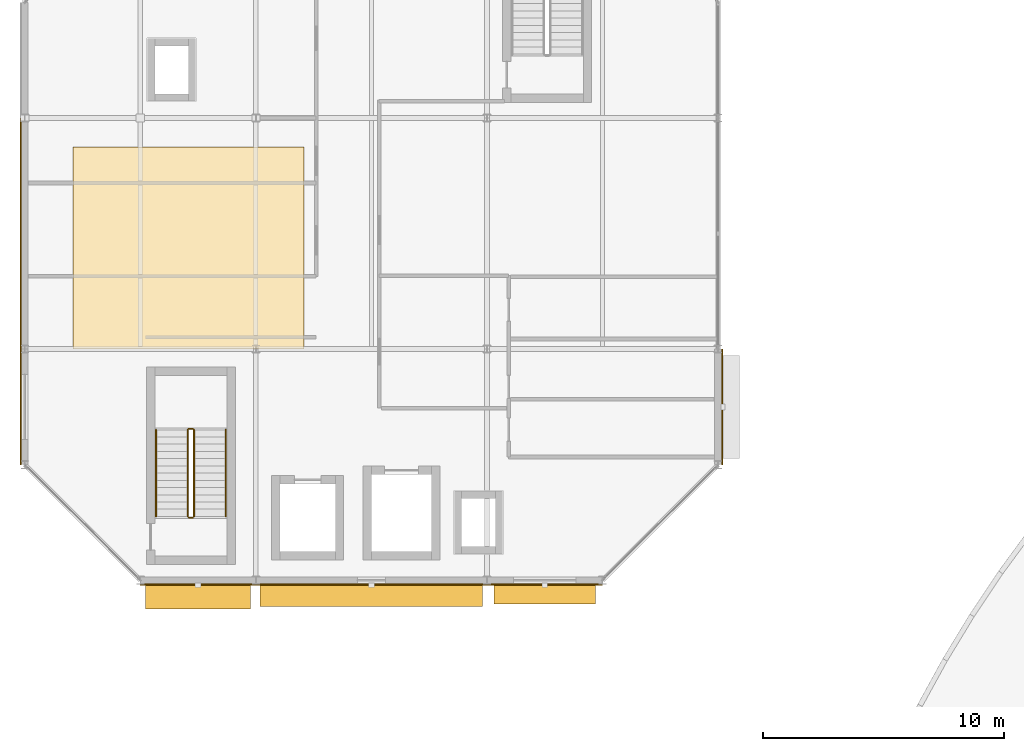
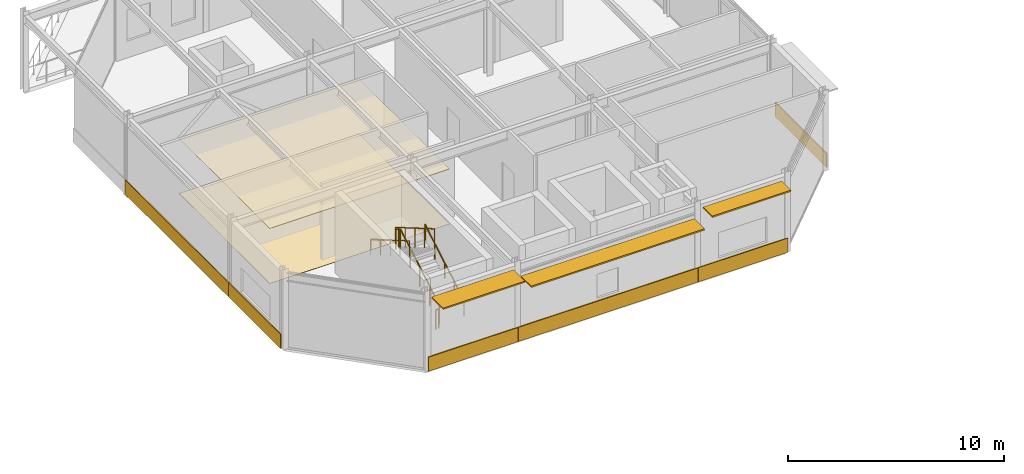
# One storey, part 43 of 50: 8 coverings, 6 railings, 3 shading devices.
"""IFC4 building model written with IfcOpenShell, lengths in metres."""

from ifc_helpers import new_model, si_unit, direction, frame, origin, origin_2d, place, context, subcontext, project, spatial, polyline, rectangle, circle, outline, extrude, material, layer, layer_set, type_object, element, save


model = new_model("IFC4")

# Units and contexts
model_context = context("Model", 3, precision=1e-05, world=origin(), true_north=direction((0.0, 1.0)))
body_context = subcontext(model_context, "Body", "Model", "MODEL_VIEW")
ifc_project = project(units=[si_unit("LENGTHUNIT", "METRE"), si_unit("AREAUNIT", "SQUARE_METRE"), si_unit("VOLUMEUNIT", "CUBIC_METRE"), si_unit("PLANEANGLEUNIT", "RADIAN"), si_unit("MASSUNIT", "GRAM", prefix="KILO")], contexts=[model_context])

# Site, building, storey
site_placement = place(None, origin())
site = spatial("IfcSite", under=ifc_project, at=site_placement, CompositionType="ELEMENT")
building_placement = place(site_placement, origin())
building = spatial("IfcBuilding", under=site, at=building_placement, Name="Almandine Court Research Institute", CompositionType="ELEMENT")
storey_placement = place(building_placement, frame((0.0, 0.0, 23.449951171875)))
storey = spatial("IfcBuildingStorey", under=building, at=storey_placement, Name="L05", CompositionType="ELEMENT", Elevation=23.449951171875)

# Coverings
ifc_material_1 = material(Name="Mineral Fibre Acoustic Suspended Ceiling Tile")
ifc_layer_1 = layer(ifc_material_1, 0.02490234375)
ifc_layer_set_1 = layer_set([ifc_layer_1], Name="Mineral Fibre Acoustic Suspended Ceiling Tile")
covering_type_1 = type_object("IfcCoveringType", Name="Cov-CEIL-ACOU", PredefinedType="CEILING", material=ifc_layer_set_1)
covering_1_placement = place(storey_placement, frame((0.0, 0.0, 3.10009765625)))
element("IfcCovering", 1, at=covering_1_placement, inside=storey, type_object=covering_type_1, Name="L05 Cleanroom and Laboratory Suspended Ceiling", PredefinedType="CEILING", context=body_context, shape_type="SweptSolid", body=[
    extrude(outline(polyline([(8.0, 93.60009765625), (17.60009765625, 93.60009765625), (17.60009765625, 102.0), (8.0, 102.0), (8.0, 93.60009765625)])), origin(), (0.0, 0.0, 1.0), 0.02490234375),
])
ifc_material_2 = material(Name="Extruded Cream-Ochre Seismic Terracotta Spandrel", Category="masonry")
ifc_layer_2 = layer(ifc_material_2, 0.054931640625)
ifc_layer_set_2 = layer_set([ifc_layer_2], Name="Extruded Cream-Ochre Seismic Terracotta Spandrel")
covering_type_2 = type_object("IfcCoveringType", Name="Cov-CLAD-TERR", PredefinedType="CLADDING", material=ifc_layer_set_2)
covering_2_placement = place(storey_placement, frame((5.830078125, 91.199951171875, 0.02001953125), z_axis=(0.0, 0.0, 1.0), x_axis=(0.0, 1.0, 0.0)))
element("IfcCovering", 2, at=covering_2_placement, inside=storey, type_object=covering_type_2, Name="L05 Facade Spandrel Cladding Band 85", PredefinedType="CLADDING", context=body_context, shape_type="SweptSolid", body=[
    extrude(rectangle(XDim=4.7919921875, YDim=0.054931640625, at=origin_2d()), origin(), (0.0, 0.0, 1.0), 0.800048828125),
])
covering_3_placement = place(storey_placement, frame((5.830078125, 98.39990234375, 0.02001953125), z_axis=(0.0, 0.0, 1.0), x_axis=(0.0, 1.0, 0.0)))
element("IfcCovering", 3, at=covering_3_placement, inside=storey, type_object=covering_type_2, Name="L05 Facade Spandrel Cladding Band 86", PredefinedType="CLADDING", context=body_context, shape_type="SweptSolid", body=[
    extrude(rectangle(XDim=9.592041015625, YDim=0.054931640625, at=origin_2d()), origin(), (0.0, 0.0, 1.0), 0.800048828125),
])
for number, where, z_axis, x_axis, name in (
    (4, (34.969970703125, 91.199951171875, 0.02001953125), (0.0, 0.0, 1.0), (0.0, -1.0, 0.0), "L05 Facade Spandrel Cladding Band 91"),
    (5, (27.60009765625, 83.8291015625, 0.02001953125), (0.0, 0.0, 1.0), (-1.0, 0.0, 0.0), "L05 Facade Spandrel Cladding Band 92"),
):
    element("IfcCovering", number, at=place(storey_placement, frame(where, z_axis=z_axis, x_axis=x_axis)), inside=storey, type_object=covering_type_2, Name=name, PredefinedType="CLADDING", context=body_context, shape_type="SweptSolid", body=[
        extrude(rectangle(XDim=4.7919921875, YDim=0.054931640625, at=origin_2d()), origin(), (0.0, 0.0, 1.0), 0.800048828125),
    ])
covering_4_placement = place(storey_placement, frame((20.39990234375, 83.8291015625, 0.02001953125), z_axis=(0.0, 0.0, 1.0), x_axis=(-1.0, 0.0, 0.0)))
element("IfcCovering", 6, at=covering_4_placement, inside=storey, type_object=covering_type_2, Name="L05 Facade Spandrel Cladding Band 93", PredefinedType="CLADDING", context=body_context, shape_type="SweptSolid", body=[
    extrude(rectangle(XDim=9.592041015625, YDim=0.054931640625, at=origin_2d()), origin(), (0.0, 0.0, 1.0), 0.800048828125),
])
covering_5_placement = place(storey_placement, frame((13.199951171875, 83.8291015625, 0.02001953125), z_axis=(0.0, 0.0, 1.0), x_axis=(-1.0, 0.0, 0.0)))
element("IfcCovering", 7, at=covering_5_placement, inside=storey, type_object=covering_type_2, Name="L05 Facade Spandrel Cladding Band 94", PredefinedType="CLADDING", context=body_context, shape_type="SweptSolid", body=[
    extrude(rectangle(XDim=4.7919921875, YDim=0.054931640625, at=origin_2d()), origin(), (0.0, 0.0, 1.0), 0.800048828125),
])
ifc_material_3 = material(Name="Seamless Chemical-Resistant Cleanroom Epoxy Flooring")
ifc_layer_3 = layer(ifc_material_3, 0.011962890625)
ifc_layer_set_3 = layer_set([ifc_layer_3], Name="Seamless Chemical-Resistant Cleanroom Epoxy Flooring")
covering_type_3 = type_object("IfcCoveringType", Name="Cov-FLR-EPOXY", PredefinedType="FLOORING", material=ifc_layer_set_3)
covering_6_placement = place(storey_placement, origin())
element("IfcCovering", 8, at=covering_6_placement, inside=storey, type_object=covering_type_3, Name="L05 Cleanroom Seamless Epoxy Flooring", PredefinedType="FLOORING", context=body_context, shape_type="SweptSolid", body=[
    extrude(outline(polyline([(8.0, 93.60009765625), (17.60009765625, 93.60009765625), (17.60009765625, 102.0), (8.0, 102.0), (8.0, 93.60009765625)])), origin(), (0.0, 0.0, 1.0), 0.011962890625),
])

# Railings
ifc_material_4 = material(Name="Powder-Coated Steel Stair and Atrium Balustrade", Category="steel")
railing_type_1 = type_object("IfcRailingType", Name="Rail-GUARD-INT", PredefinedType="BALUSTRADE", material=ifc_material_4)
railing_1_placement = place(storey_placement, frame((13.030029296875, 86.64990234375, 0.175048828125)))
element("IfcRailing", 9, at=railing_1_placement, inside=storey, type_object=railing_type_1, Name="L05 ST-05 stair guard 1", PredefinedType="BALUSTRADE", context=body_context, shape_type="SweptSolid", body=[
    extrude(circle(Radius=0.02392578125, at=origin_2d()), frame((0.0, 0.0, 1.09619140625), z_axis=(0.0, 0.863774651768, 0.503878309678), x_axis=(-1.0, 0.0, 0.0)), (0.0, 0.0, 1.0), 4.16796875),
    extrude(circle(Radius=0.02099609375, at=origin_2d()), origin(), (0.0, 0.0, 1.0), 1.072021484375),
    extrude(circle(Radius=0.02099609375, at=origin_2d()), frame((0.0, 0.89990234375, 0.52490234375)), (0.0, 0.0, 1.0), 1.072021484375),
    extrude(circle(Radius=0.02099609375, at=origin_2d()), frame((0.0, 1.800048828125, 1.050048828125)), (0.0, 0.0, 1.0), 1.072021484375),
    extrude(circle(Radius=0.02099609375, at=origin_2d()), frame((0.0, 2.7001953125, 1.5751953125)), (0.0, 0.0, 1.0), 1.072021484375),
    extrude(circle(Radius=0.02099609375, at=origin_2d()), frame((0.0, 3.60009765625, 2.10009765625)), (0.0, 0.0, 1.0), 1.072021484375),
])
railing_2_placement = place(storey_placement, frame((12.97998046875, 90.300048828125, 2.275146484375)))
element("IfcRailing", 10, at=railing_2_placement, inside=storey, type_object=railing_type_1, Name="L05 ST-05 stair guard 2", PredefinedType="BALUSTRADE", context=body_context, shape_type="SweptSolid", body=[
    extrude(circle(Radius=0.02392578125, at=origin_2d()), frame((0.0, 0.0, 1.09619140625), z_axis=(-1.0, 0.0, 0.0), x_axis=(0.0, -1.0, 0.0)), (0.0, 0.0, 1.0), 0.159912109375),
    extrude(circle(Radius=0.02099609375, at=origin_2d()), origin(), (0.0, 0.0, 1.0), 1.072021484375),
    extrude(circle(Radius=0.02099609375, at=origin_2d()), frame((-0.159912109375, 0.0, 0.0)), (0.0, 0.0, 1.0), 1.072021484375),
])
railing_3_placement = place(storey_placement, frame((12.77001953125, 90.25, 2.449951171875)))
element("IfcRailing", 11, at=railing_3_placement, inside=storey, type_object=railing_type_1, Name="L05 ST-05 stair guard 3", PredefinedType="BALUSTRADE", context=body_context, shape_type="SweptSolid", body=[
    extrude(circle(Radius=0.02392578125, at=origin_2d()), frame((0.0, 0.0, 1.09619140625), z_axis=(0.0, -0.863774651768, 0.503878309678), x_axis=(1.0, 0.0, 0.0)), (0.0, 0.0, 1.0), 4.16796875),
    extrude(circle(Radius=0.02099609375, at=origin_2d()), origin(), (0.0, 0.0, 1.0), 1.072021484375),
    extrude(circle(Radius=0.02099609375, at=origin_2d()), frame((0.0, -0.89990234375, 0.52490234375)), (0.0, 0.0, 1.0), 1.072021484375),
    extrude(circle(Radius=0.02099609375, at=origin_2d()), frame((0.0, -1.800048828125, 1.050048828125)), (0.0, 0.0, 1.0), 1.072021484375),
    extrude(circle(Radius=0.02099609375, at=origin_2d()), frame((0.0, -2.7001953125, 1.5751953125)), (0.0, 0.0, 1.0), 1.072021484375),
    extrude(circle(Radius=0.02099609375, at=origin_2d()), frame((0.0, -3.60009765625, 2.10009765625)), (0.0, 0.0, 1.0), 1.072021484375),
])
railing_4_placement = place(storey_placement, frame((12.97998046875, 86.60009765625, 0.0)))
element("IfcRailing", 12, at=railing_4_placement, inside=storey, type_object=railing_type_1, Name="L05 ST-05 stair guard 4", PredefinedType="BALUSTRADE", context=body_context, shape_type="SweptSolid", body=[
    extrude(circle(Radius=0.02392578125, at=origin_2d()), frame((0.0, 0.0, 1.09619140625), z_axis=(-1.0, 0.0, 0.0), x_axis=(0.0, -1.0, 0.0)), (0.0, 0.0, 1.0), 0.159912109375),
    extrude(circle(Radius=0.02099609375, at=origin_2d()), origin(), (0.0, 0.0, 1.0), 1.072021484375),
    extrude(circle(Radius=0.02099609375, at=origin_2d()), frame((-0.159912109375, 0.0, 0.0)), (0.0, 0.0, 1.0), 1.072021484375),
])
ifc_material_5 = material(Name="Brushed Stainless Steel Wall Handrail", Category="steel")
railing_type_2 = type_object("IfcRailingType", Name="Rail-HAND-INT", PredefinedType="HANDRAIL", material=ifc_material_5)
railing_5_placement = place(storey_placement, frame((14.35009765625, 86.64990234375, 0.175048828125)))
element("IfcRailing", 13, at=railing_5_placement, inside=storey, type_object=railing_type_2, Name="L05 ST-05 stair handrail 1", PredefinedType="HANDRAIL", context=body_context, shape_type="SweptSolid", body=[
    extrude(circle(Radius=0.02392578125, at=origin_2d()), frame((0.0, 0.0, 0.8759765625), z_axis=(0.0, 0.863774651768, 0.503878309678), x_axis=(-1.0, 0.0, 0.0)), (0.0, 0.0, 1.0), 4.16796875),
    extrude(circle(Radius=0.02099609375, at=origin_2d()), origin(), (0.0, 0.0, 1.0), 0.851806640625),
    extrude(circle(Radius=0.02099609375, at=origin_2d()), frame((0.0, 0.89990234375, 0.52490234375)), (0.0, 0.0, 1.0), 0.851806640625),
    extrude(circle(Radius=0.02099609375, at=origin_2d()), frame((0.0, 1.800048828125, 1.050048828125)), (0.0, 0.0, 1.0), 0.851806640625),
    extrude(circle(Radius=0.02099609375, at=origin_2d()), frame((0.0, 2.7001953125, 1.5751953125)), (0.0, 0.0, 1.0), 0.851806640625),
    extrude(circle(Radius=0.02099609375, at=origin_2d()), frame((0.0, 3.60009765625, 2.10009765625)), (0.0, 0.0, 1.0), 0.851806640625),
])
railing_6_placement = place(storey_placement, frame((11.449951171875, 90.25, 2.449951171875)))
element("IfcRailing", 14, at=railing_6_placement, inside=storey, type_object=railing_type_2, Name="L05 ST-05 stair handrail 2", PredefinedType="HANDRAIL", context=body_context, shape_type="SweptSolid", body=[
    extrude(circle(Radius=0.02392578125, at=origin_2d()), frame((0.0, 0.0, 0.8759765625), z_axis=(0.0, -0.863774651768, 0.503878309678), x_axis=(1.0, 0.0, 0.0)), (0.0, 0.0, 1.0), 4.16796875),
    extrude(circle(Radius=0.02099609375, at=origin_2d()), origin(), (0.0, 0.0, 1.0), 0.851806640625),
    extrude(circle(Radius=0.02099609375, at=origin_2d()), frame((0.0, -0.89990234375, 0.52490234375)), (0.0, 0.0, 1.0), 0.851806640625),
    extrude(circle(Radius=0.02099609375, at=origin_2d()), frame((0.0, -1.800048828125, 1.050048828125)), (0.0, 0.0, 1.0), 0.851806640625),
    extrude(circle(Radius=0.02099609375, at=origin_2d()), frame((0.0, -2.7001953125, 1.5751953125)), (0.0, 0.0, 1.0), 0.851806640625),
    extrude(circle(Radius=0.02099609375, at=origin_2d()), frame((0.0, -3.60009765625, 2.10009765625)), (0.0, 0.0, 1.0), 0.851806640625),
])

# Shading devices
ifc_material_6 = material(Name="Precast GFRC Chhajja Sunshade and Acoustic Louvre", Category="concrete")
ifc_layer_4 = layer(ifc_material_6, 0.080078125)
ifc_layer_set_4 = layer_set([ifc_layer_4], Name="Precast GFRC Chhajja Sunshade and Acoustic Louvre")
shading_device_type_1 = type_object("IfcShadingDeviceType", Name="Shd-SD-10", PredefinedType="AWNING", material=ifc_layer_set_4)
shading_device_1_placement = place(storey_placement, frame((27.60009765625, 83.43994140625, 4.030029296875), z_axis=(0.0, 0.0, 1.0), x_axis=(-1.0, 0.0, 0.0)))
element("IfcShadingDevice", 15, at=shading_device_1_placement, inside=storey, type_object=shading_device_type_1, Name="L05 Projecting Chhajja Sunshade 55", PredefinedType="AWNING", context=body_context, shape_type="SweptSolid", body=[
    extrude(rectangle(XDim=4.201904296875, YDim=0.85009765625, at=origin_2d()), origin(), (0.0, 0.0, 1.0), 0.080078125),
])
ifc_layer_5 = layer(ifc_material_6, 0.080078125)
ifc_layer_set_5 = layer_set([ifc_layer_5], Name="Precast GFRC Chhajja Sunshade and Acoustic Louvre")
shading_device_type_2 = type_object("IfcShadingDeviceType", Name="Shd-SD-11", PredefinedType="AWNING", material=ifc_layer_set_5)
shading_device_2_placement = place(storey_placement, frame((20.39990234375, 83.389892578125, 3.5419921875), z_axis=(0.0, 0.0, 1.0), x_axis=(-1.0, 0.0, 0.0)))
element("IfcShadingDevice", 16, at=shading_device_2_placement, inside=storey, type_object=shading_device_type_2, Name="L05 Projecting Chhajja Sunshade 56", PredefinedType="AWNING", context=body_context, shape_type="SweptSolid", body=[
    extrude(rectangle(XDim=9.241943359375, YDim=0.949951171875, at=origin_2d()), origin(), (0.0, 0.0, 1.0), 0.080078125),
])
ifc_layer_6 = layer(ifc_material_6, 0.080078125)
ifc_layer_set_6 = layer_set([ifc_layer_6], Name="Precast GFRC Chhajja Sunshade and Acoustic Louvre")
shading_device_type_3 = type_object("IfcShadingDeviceType", Name="Shd-SD-16", PredefinedType="AWNING", material=ifc_layer_set_6)
shading_device_3_placement = place(storey_placement, frame((13.199951171875, 83.340087890625, 4.030029296875), z_axis=(0.0, 0.0, 1.0), x_axis=(-1.0, 0.0, 0.0)))
element("IfcShadingDevice", 17, at=shading_device_3_placement, inside=storey, type_object=shading_device_type_3, Name="L05 Projecting Chhajja Sunshade 57", PredefinedType="AWNING", context=body_context, shape_type="SweptSolid", body=[
    extrude(rectangle(XDim=4.362060546875, YDim=1.050048828125, at=origin_2d()), origin(), (0.0, 0.0, 1.0), 0.080078125),
])

save(model, "model.ifc")
